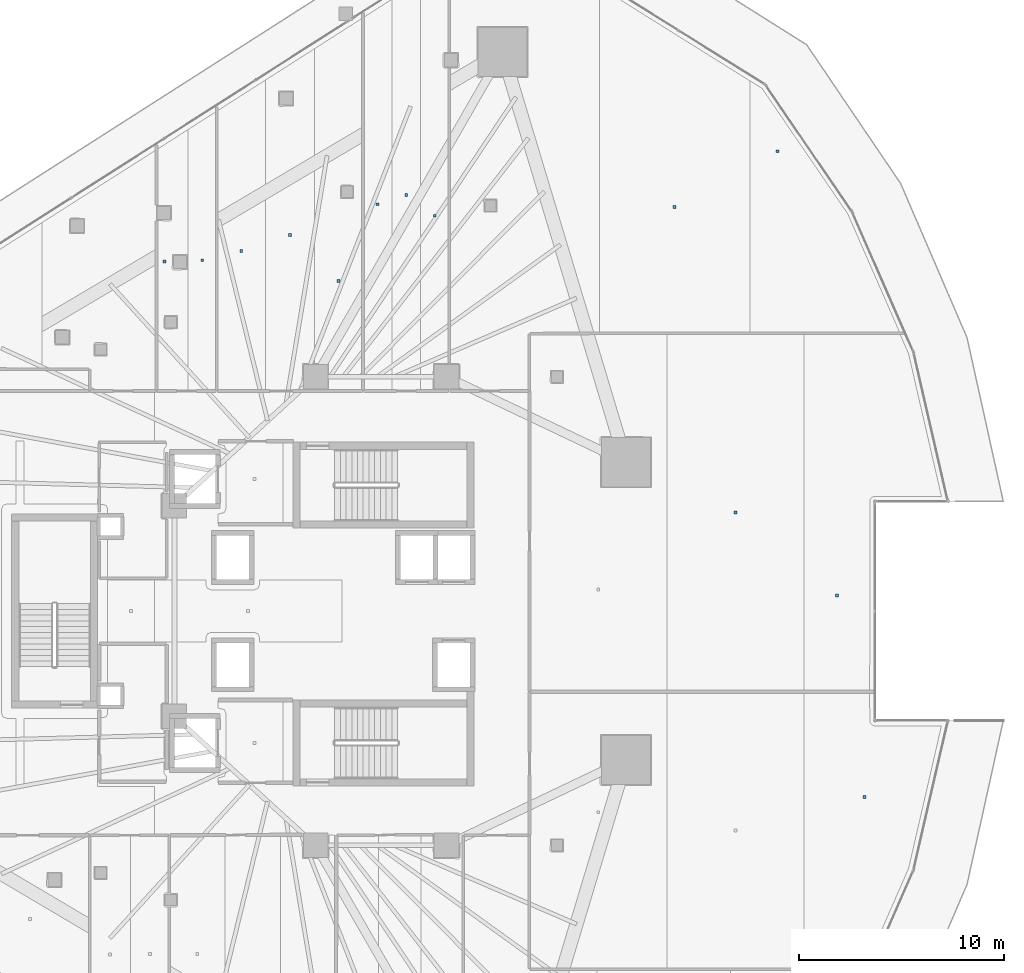
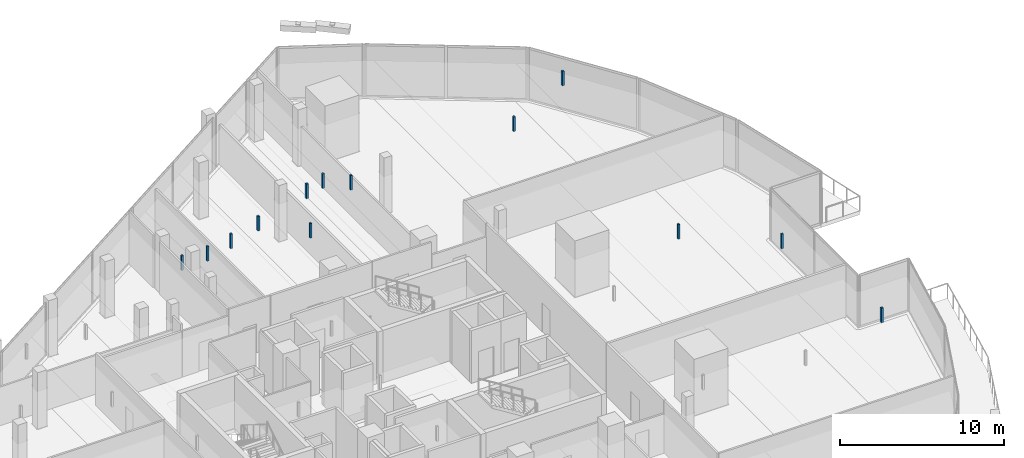
# One storey, part 34 of 44: 13 discrete accessories.
"""IFC4 building model written with IfcOpenShell, lengths in metres."""

from ifc_helpers import new_model, si_unit, direction, frame, origin, origin_2d, place, context, subcontext, project, spatial, rectangle, extrude, material, type_object, element, save


model = new_model("IFC4")

# Units and contexts
model_context = context("Model", 3, precision=1e-05, world=origin(), true_north=direction((0.0, 1.0)))
body_context = subcontext(model_context, "Body", "Model", "MODEL_VIEW")
ifc_project = project(units=[si_unit("LENGTHUNIT", "METRE"), si_unit("AREAUNIT", "SQUARE_METRE"), si_unit("VOLUMEUNIT", "CUBIC_METRE"), si_unit("PLANEANGLEUNIT", "RADIAN"), si_unit("MASSUNIT", "GRAM", prefix="KILO")], contexts=[model_context])

# Site, building, storey
site_placement = place(None, origin())
site = spatial("IfcSite", under=ifc_project, at=site_placement, CompositionType="ELEMENT")
building_placement = place(site_placement, origin())
building = spatial("IfcBuilding", under=site, at=building_placement, Name="Qorvath Tower", CompositionType="ELEMENT")
storey_placement = place(building_placement, frame((0.0, 0.0, 45.0)))
storey = spatial("IfcBuildingStorey", under=building, at=storey_placement, Name="L09", CompositionType="ELEMENT", Elevation=45.0)

# Discrete accessories
ifc_material = material(Name="Galvanised steel bracket", Category="steel")
discrete_accessory_type = type_object("IfcDiscreteAccessoryType", Name="DA-BRACKET", PredefinedType="BRACKET", material=ifc_material)
for number, where, z_axis, x_axis, name in (
    (1, (-30.98193359375, 17.080810546875, 2.860107421875), (0.0, 0.0, 1.0), (1.0, 0.0, 0.0), "Acoustic Ceiling Suspension Hanger T1-L09-011"),
    (2, (-29.138427734375, 17.150146484375, 2.860107421875), (0.0, 0.0, 1.0), (1.0, 0.0, 0.0), "Acoustic Ceiling Suspension Hanger T1-L09-012"),
    (3, (-27.23388671875, 17.6005859375, 2.860107421875), (0.0, 0.0, 1.0), (1.0, 0.0, 0.0), "Acoustic Ceiling Suspension Hanger T1-L09-013"),
    (4, (-24.853271484375, 18.383056640625, 2.860107421875), (0.0, 0.0, 1.0), (1.0, 0.0, 0.0), "Acoustic Ceiling Suspension Hanger T1-L09-014"),
    (5, (-22.472900390625, 16.135009765625, 2.860107421875), (0.0, 0.0, 1.0), (1.0, 0.0, 0.0), "Acoustic Ceiling Suspension Hanger T1-L09-015"),
    (6, (-20.567626953125, 19.887939453125, 2.860107421875), (0.0, 0.0, 1.0), (1.0, 0.0, 0.0), "Acoustic Ceiling Suspension Hanger T1-L09-016"),
    (7, (-19.170654296875, 20.33447265625, 2.860107421875), (0.0, 0.0, 1.0), (1.0, 0.0, 0.0), "Acoustic Ceiling Suspension Hanger T1-L09-017"),
    (8, (-17.77294921875, 19.3271484375, 2.860107421875), (0.0, 0.0, 1.0), (1.0, 0.0, 0.0), "Acoustic Ceiling Suspension Hanger T1-L09-018"),
    (9, (-6.04541015625, 19.7548828125, 2.860107421875), (0.0, 0.0, 1.0), (1.0, 0.0, 0.0), "Acoustic Ceiling Suspension Hanger T1-L09-020"),
    (10, (-1.026123046875, 22.48095703125, 2.860107421875), (0.0, 0.0, 1.0), (1.0, 0.0, 0.0), "Acoustic Ceiling Suspension Hanger T1-L09-021"),
    (11, (3.237060546875, -9.0966796875, 2.860107421875), (0.0, 0.0, 1.0), (1.0, 0.0, 0.0), "Acoustic Ceiling Suspension Hanger T1-L09-035"),
    (12, (-3.071533203125, 4.81689453125, 2.860107421875), (0.0, 0.0, 1.0), (1.0, 0.0, 0.0), "Acoustic Ceiling Suspension Hanger T1-L09-037"),
    (13, (1.890625, 0.761962890625, 2.860107421875), (0.0, 0.0, 1.0), (1.0, 0.0, 0.0), "Acoustic Ceiling Suspension Hanger T1-L09-038"),
):
    element("IfcDiscreteAccessory", number, at=place(storey_placement, frame(where, z_axis=z_axis, x_axis=x_axis)), inside=storey, type_object=discrete_accessory_type, Name=name, PredefinedType="NOTDEFINED", context=body_context, shape_type="SweptSolid", body=[
        extrude(rectangle(XDim=0.139892578125, YDim=0.139892578125, at=origin_2d()), origin(), (0.0, 0.0, 1.0), 1.08984375),
    ])

save(model, "model.ifc")
